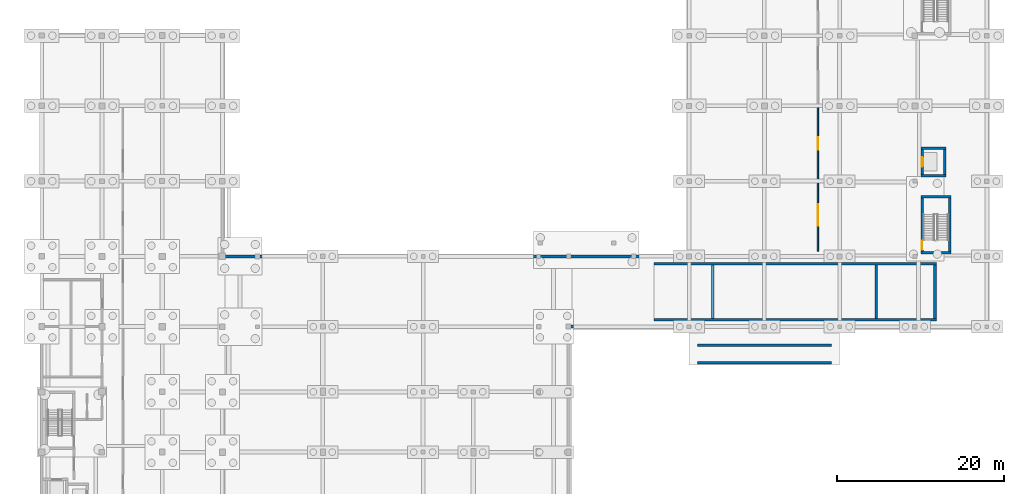
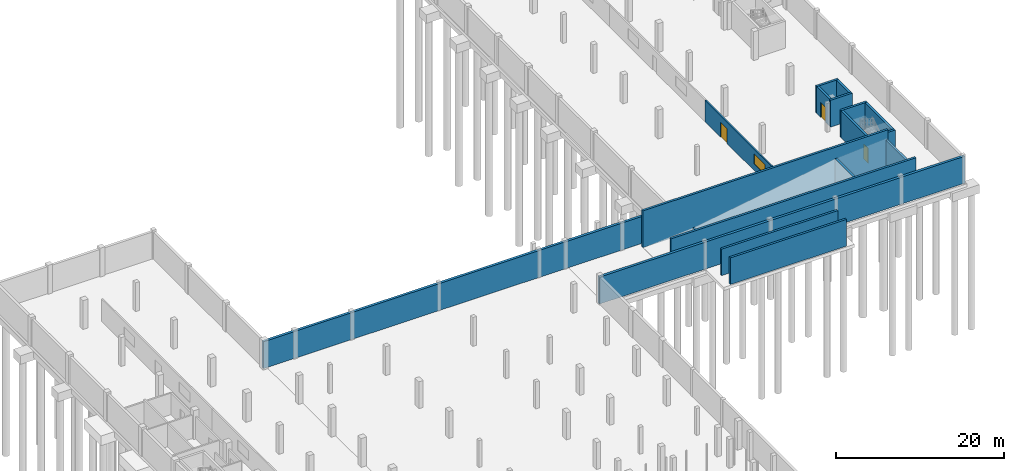
# One storey, part 27 of 34: 18 walls, 3 doors, 1 window, 4 openings.
"""IFC4 building model written with IfcOpenShell, lengths in metres."""

import ifcopenshell
import ifcopenshell.guid

model = None  # the IFC model being written
_history = None  # IfcOwnerHistory: only IFC2X3 demands one
_inside = {}  # id of a spatial element -> (the spatial element, [elements in it])
_under = {}  # id of a project, library or spatial element -> (it, [spatial elements below it])
_declared = {}  # id of a project -> (the project, [libraries it declares])
_typed = {}  # id of a type object -> (the type object, [elements of that type])
_made_of = {}  # id of a material, layer set ... -> (it, [elements and type objects made of it])


def new_model(schema):
    """Start an empty IFC model of exactly this schema.

    Asked for "IFC4X3", IfcOpenShell would pick the latest addendum, in which some entities
    have other attributes; the version numbers below select the first issue.
    IFC2X3 requires an IfcOwnerHistory on every rooted entity: one is made here for all.
    """
    global model, _history
    if schema == "IFC4X3":
        model = ifcopenshell.file(schema_version=(4, 3, 0, 0))
    else:
        model = ifcopenshell.file(schema=schema)
    _inside.clear()
    _under.clear()
    _declared.clear()
    _typed.clear()
    _made_of.clear()
    _history = None
    if model.schema == "IFC2X3":
        org = make("IfcOrganization", Name="unknown")
        user = make(
            "IfcPersonAndOrganization",
            ThePerson=make("IfcPerson", FamilyName="unknown"),
            TheOrganization=org,
        )
        app = make(
            "IfcApplication",
            ApplicationDeveloper=org,
            Version="unknown",
            ApplicationFullName="unknown",
            ApplicationIdentifier="unknown",
        )
        _history = make(
            "IfcOwnerHistory",
            OwningUser=user,
            OwningApplication=app,
            ChangeAction="ADDED",
            CreationDate=0,
        )
    return model


def make(cls, **values):
    """One entity of the class cls with the attributes given. An attribute that is None is left unset."""
    return model.create_entity(
        cls, **{name: value for name, value in values.items() if value is not None}
    )


def rooted(cls, **values):
    """An entity with a GlobalId (a new one), such as an element, a storey or a relation."""
    return make(cls, GlobalId=ifcopenshell.guid.new(), OwnerHistory=_history, **values)


def si_unit(unit_type, name, prefix=None):
    """IfcSIUnit, for example si_unit("LENGTHUNIT", "METRE", prefix="MILLI")."""
    return make("IfcSIUnit", UnitType=unit_type, Prefix=prefix, Name=name)


def assignment(units):
    """IfcUnitAssignment: the units of a project."""
    return None if units is None else make("IfcUnitAssignment", Units=units)


def point(xyz):
    """IfcCartesianPoint."""
    return None if xyz is None else make("IfcCartesianPoint", Coordinates=xyz)


def direction(xyz):
    """IfcDirection."""
    return None if xyz is None else make("IfcDirection", DirectionRatios=xyz)


def frame(location, z_axis=None, x_axis=None):
    """IfcAxis2Placement3D, a coordinate frame: its origin and axes. An axis left out is left unset."""
    return make(
        "IfcAxis2Placement3D",
        Location=point(location),
        Axis=direction(z_axis),
        RefDirection=direction(x_axis),
    )


def frame_2d(location, x_axis=None):
    """IfcAxis2Placement2D, a coordinate frame in the plane: its origin and x axis."""
    return make(
        "IfcAxis2Placement2D", Location=point(location), RefDirection=direction(x_axis)
    )


def origin():
    """The frame at (0, 0, 0) with its axes left unset."""
    return frame((0.0, 0.0, 0.0))


def place(relative_to, where):
    """IfcLocalPlacement: puts the frame where relative to a parent placement (None: the world)."""
    return make(
        "IfcLocalPlacement", PlacementRelTo=relative_to, RelativePlacement=where
    )


def context(
    kind, dimensions, precision=None, world=None, true_north=None, identifier=None
):
    """IfcGeometricRepresentationContext, for example the 3D "Model" context."""
    return make(
        "IfcGeometricRepresentationContext",
        ContextIdentifier=identifier,
        ContextType=kind,
        CoordinateSpaceDimension=dimensions,
        Precision=precision,
        WorldCoordinateSystem=world,
        TrueNorth=true_north,
    )


def subcontext(parent, identifier, kind, view, scale=None):
    """IfcGeometricRepresentationSubContext, for example "Body" below "Model"."""
    return make(
        "IfcGeometricRepresentationSubContext",
        ContextIdentifier=identifier,
        ContextType=kind,
        ParentContext=parent,
        TargetScale=scale,
        TargetView=view,
    )


def project(units=None, contexts=None):
    """IfcProject with its units and contexts."""
    return rooted(
        "IfcProject",
        Name="project",
        RepresentationContexts=contexts,
        UnitsInContext=assignment(units),
    )


def spatial(cls, under=None, at=None, **own):
    """A site, building, storey or space (cls), placed at a placement, below another one or the project."""
    s = rooted(cls, ObjectPlacement=at, **own)
    if under is not None:
        _under.setdefault(under.id(), (under, []))[1].append(s)
    return s


def profile(cls, at=None, kind="AREA", **sizes):
    """A parametric profile (cls). Its sizes go by their IFC names, for example OverallWidth=200.0."""
    return make(cls, ProfileType=kind, Position=at, **sizes)


def rectangle(**sizes):
    """IfcRectangleProfileDef."""
    return profile("IfcRectangleProfileDef", **sizes)


def extrude(swept, where, along, depth):
    """IfcExtrudedAreaSolid: the profile swept, set in the frame where, extruded along a direction by depth."""
    return make(
        "IfcExtrudedAreaSolid",
        SweptArea=swept,
        Position=where,
        ExtrudedDirection=direction(along),
        Depth=depth,
    )


def shape(context_of_items, identifier, shape_type, items):
    """IfcShapeRepresentation: the items that make up one representation, for example the "Body"."""
    return make(
        "IfcShapeRepresentation",
        ContextOfItems=context_of_items,
        RepresentationIdentifier=identifier,
        RepresentationType=shape_type,
        Items=items,
    )


def material(Name=None, Category=None):
    """IfcMaterial."""
    return make("IfcMaterial", Name=Name, Category=Category)


def layer(
    of_material, thickness, ventilated=None, Name=None, Category=None, Priority=None
):
    """IfcMaterialLayer: one layer of a wall or slab, of a material (None: an air gap)."""
    return make(
        "IfcMaterialLayer",
        Material=of_material,
        LayerThickness=thickness,
        IsVentilated=ventilated,
        Name=Name,
        Category=Category,
        Priority=Priority,
    )


def layer_set(layers, Name=None):
    """IfcMaterialLayerSet."""
    return make("IfcMaterialLayerSet", MaterialLayers=layers, LayerSetName=Name)


def made_of(thing, what):
    """Note that an element or type object is made of a material, layer set ...; save() writes the relation."""
    if what is not None:
        _made_of.setdefault(what.id(), (what, []))[1].append(thing)
    return thing


def type_object(cls, material=None, **own):
    """A type object (cls), such as IfcWallType, which elements share."""
    return made_of(rooted(cls, **own), material)


def element(
    cls,
    number,
    at=None,
    inside=None,
    cuts=None,
    type_object=None,
    material=None,
    context=None,
    identifier="Body",
    shape_type=None,
    held_by="IfcProductDefinitionShape",
    body=None,
    shapes=None,
    **own,
):
    """One element of the class cls, such as IfcWall. Its Tag is "e" and its number.

    at: its placement. inside: the storey or other place that contains it. cuts: it is an
    opening in that element (IfcRelVoidsElement). A single representation is given by context,
    identifier, shape_type and body (its items); several are given by shapes. held_by: the class
    of the entity that holds the representations. save() writes the other relations.
    """
    e = rooted(cls, Tag="e%d" % number, ObjectPlacement=at, **own)
    if body is not None:
        shapes = [shape(context, identifier, shape_type, body)]
    if shapes is not None:
        e.Representation = make(held_by, Representations=shapes)
    if inside is not None:
        _inside.setdefault(inside.id(), (inside, []))[1].append(e)
    if cuts is not None:
        rooted(
            "IfcRelVoidsElement", RelatingBuildingElement=cuts, RelatedOpeningElement=e
        )
    if type_object is not None:
        _typed.setdefault(type_object.id(), (type_object, []))[1].append(e)
    return made_of(e, material)


def fill(opening, filler):
    """IfcRelFillsElement: the door or window that sits in an opening."""
    return rooted(
        "IfcRelFillsElement",
        RelatingOpeningElement=opening,
        RelatedBuildingElement=filler,
    )


def aggregate(whole, parts):
    """IfcRelAggregates: a whole, such as a stair, and the parts it consists of."""
    return rooted("IfcRelAggregates", RelatingObject=whole, RelatedObjects=parts)


def save(model, path):
    """Write the relations noted so far, then the file.

    IfcRelAggregates (storeys below a building ...), IfcRelContainedInSpatialStructure (elements
    in a storey), IfcRelDefinesByType, IfcRelAssociatesMaterial and IfcRelDeclares: one each for
    every whole, place, type object, material and project.
    """
    for whole, parts in _under.values():
        aggregate(whole, parts)
    for where, things in _inside.values():
        rooted(
            "IfcRelContainedInSpatialStructure",
            RelatedElements=things,
            RelatingStructure=where,
        )
    for kind, things in _typed.values():
        rooted("IfcRelDefinesByType", RelatedObjects=things, RelatingType=kind)
    for what, things in _made_of.values():
        rooted("IfcRelAssociatesMaterial", RelatedObjects=things, RelatingMaterial=what)
    for by, libraries in _declared.values():
        rooted("IfcRelDeclares", RelatingContext=by, RelatedDefinitions=libraries)
    model.write(path)


model = new_model("IFC4")

# Units and contexts
model_context = context("Model", 3, precision=1e-05, world=origin(), true_north=direction((0.0, 1.0)))
body_context = subcontext(model_context, "Body", "Model", "MODEL_VIEW")
ifc_project = project(units=[si_unit("LENGTHUNIT", "METRE"), si_unit("AREAUNIT", "SQUARE_METRE"), si_unit("VOLUMEUNIT", "CUBIC_METRE"), si_unit("PLANEANGLEUNIT", "RADIAN"), si_unit("MASSUNIT", "GRAM", prefix="KILO")], contexts=[model_context])

# Site, building, storey
site_placement = place(None, origin())
site = spatial("IfcSite", under=ifc_project, at=site_placement, CompositionType="ELEMENT")
building_placement = place(site_placement, origin())
building = spatial("IfcBuilding", under=site, at=building_placement, Name="Vinh Khe Railworks Police Headquarters", CompositionType="ELEMENT")
storey_placement = place(building_placement, frame((0.0, 0.0, -4.199951171875)))
storey = spatial("IfcBuildingStorey", under=building, at=storey_placement, Name="B1", CompositionType="ELEMENT", Elevation=-4.199951171875)

# Walls
ifc_material_1 = material(Name="Concrete C40/50 (B40)", Category="concrete")
ifc_layer_1 = layer(ifc_material_1, 0.35009765625)
ifc_layer_set_1 = layer_set([ifc_layer_1], Name="Concrete C40/50 (B40)")
wall_type_1 = type_object("IfcWallType", Name="Basement Retaining Wall 350", PredefinedType="USERDEFINED", material=ifc_layer_set_1)
wall_1_placement = place(storey_placement, frame((63.425048828125, 96.0, 0.0), z_axis=(0.0, 0.0, 1.0), x_axis=(1.0, 0.0, 0.0)))
element("IfcWall", 1, at=wall_1_placement, inside=storey, type_object=wall_type_1, Name="Basement Retaining Wall 3", ObjectType="RETAININGWALL", PredefinedType="USERDEFINED", context=body_context, shape_type="SweptSolid", body=[
    extrude(rectangle(XDim=50.349853515625, YDim=0.35009765625, at=frame_2d((25.1748046875, 0.0))), origin(), (0.0, 0.0, 1.0), 3.919921875),
])
wall_2_placement = place(storey_placement, frame((78.175048828125, 104.39990234375, 0.0), z_axis=(0.0, 0.0, 1.0), x_axis=(-1.0, 0.0, 0.0)))
element("IfcWall", 2, at=wall_2_placement, inside=storey, type_object=wall_type_1, Name="Basement Retaining Wall 7", ObjectType="RETAININGWALL", PredefinedType="USERDEFINED", context=body_context, shape_type="SweptSolid", body=[
    extrude(rectangle(XDim=56.150146484375, YDim=0.35009765625, at=frame_2d((28.0751953125, 0.0))), origin(), (0.0, 0.0, 1.0), 3.919921875),
])
ifc_layer_2 = layer(ifc_material_1, 0.300048828125)
ifc_layer_set_2 = layer_set([ifc_layer_2], Name="Concrete C40/50 (B40)")
wall_type_2 = type_object("IfcWallType", Name="Core Shear Wall 300", PredefinedType="SHEAR", material=ifc_layer_set_2)
for number, where, z_axis, x_axis, name in (
    (3, (105.699951171875, 104.85009765625, 0.0), (0.0, 0.0, 1.0), (1.0, 0.0, 0.0), "Core C4 STAIR-S Shear Wall (B1)"),
    (4, (105.699951171875, 111.550048828125, 0.0), (0.0, 0.0, 1.0), (1.0, 0.0, 0.0), "Core C4 STAIR-N Shear Wall (B1)"),
):
    element("IfcWall", number, at=place(storey_placement, frame(where, z_axis=z_axis, x_axis=x_axis)), inside=storey, type_object=wall_type_2, Name=name, PredefinedType="SHEAR", context=body_context, shape_type="SweptSolid", body=[
        extrude(rectangle(XDim=3.60009765625, YDim=0.300048828125, at=frame_2d((1.800048828125, 0.0))), origin(), (0.0, 0.0, 1.0), 3.919921875),
    ])

# Wall, opening, door
wall_3_placement = place(storey_placement, frame((105.85009765625, 105.0, 0.0), z_axis=(0.0, 0.0, 1.0), x_axis=(0.0, 1.0, 0.0)))
wall_3 = element("IfcWall", 5, at=wall_3_placement, inside=storey, type_object=wall_type_2, Name="Core C4 STAIR-W Shear Wall (B1)", PredefinedType="SHEAR", context=body_context, shape_type="SweptSolid", body=[
    extrude(rectangle(XDim=6.39990234375, YDim=0.300048828125, at=frame_2d((3.199951171875, 0.0))), origin(), (0.0, 0.0, 1.0), 3.919921875),
])
opening_1_placement = place(wall_3_placement, frame((0.169921875, 0.0, 0.0)))
opening_1 = element("IfcOpeningElement", 6, at=opening_1_placement, cuts=wall_3, Name="Opening FD-01", PredefinedType="OPENING", context=body_context, shape_type="SweptSolid", body=[
    extrude(rectangle(XDim=1.10009765625, YDim=2.14990234375, at=frame_2d((0.550048828125, 1.074951171875))), frame((0.0, 0.1650390625, 0.0), z_axis=(0.0, -1.0, 0.0), x_axis=(1.0, 0.0, 0.0)), (0.0, 0.0, 1.0), 0.329833984375),
])
ifc_material_2 = material(Name="Painted galvanised steel", Category="steel")
door_type_1 = type_object("IfcDoorType", Name="FD-1100x2150", OperationType="NOTDEFINED", PredefinedType="DOOR", material=ifc_material_2)
door_1_placement = place(opening_1_placement, origin())
door_1 = element("IfcDoor", 7, at=door_1_placement, inside=storey, type_object=door_type_1, Name="Escape Stair ST-04 Fire Door B1", OperationType="SINGLE_SWING_LEFT", OverallHeight=2.14990234375, OverallWidth=1.10009765625, PredefinedType="DOOR", context=body_context, shape_type="SweptSolid", body=[
    extrude(rectangle(XDim=1.10009765625, YDim=2.14990234375, at=frame_2d((0.550048828125, 1.074951171875))), frame((0.0, 0.02490234375, 0.0), z_axis=(0.0, -1.0, 0.0), x_axis=(1.0, 0.0, 0.0)), (0.0, 0.0, 1.0), 0.050048828125),
])
fill(opening_1, door_1)

# Walls
wall_4_placement = place(storey_placement, frame((109.14990234375, 105.0, 0.0), z_axis=(0.0, 0.0, 1.0), x_axis=(0.0, 1.0, 0.0)))
element("IfcWall", 8, at=wall_4_placement, inside=storey, type_object=wall_type_2, Name="Core C4 STAIR-E Shear Wall (B1)", PredefinedType="SHEAR", context=body_context, shape_type="SweptSolid", body=[
    extrude(rectangle(XDim=6.39990234375, YDim=0.300048828125, at=frame_2d((3.199951171875, 0.0))), origin(), (0.0, 0.0, 1.0), 3.919921875),
])
for number, where, z_axis, x_axis, name in (
    (9, (105.699951171875, 114.050048828125, 0.0), (0.0, 0.0, 1.0), (1.0, 0.0, 0.0), "Core C4 PL-S Lift Shaft Wall (B1)"),
    (10, (105.699951171875, 117.35009765625, 0.0), (0.0, 0.0, 1.0), (1.0, 0.0, 0.0), "Core C4 PL-N Lift Shaft Wall (B1)"),
):
    element("IfcWall", number, at=place(storey_placement, frame(where, z_axis=z_axis, x_axis=x_axis)), inside=storey, type_object=wall_type_2, Name=name, PredefinedType="SHEAR", context=body_context, shape_type="SweptSolid", body=[
        extrude(rectangle(XDim=3.0, YDim=0.300048828125, at=frame_2d((1.5, 0.0))), origin(), (0.0, 0.0, 1.0), 3.919921875),
    ])

# Wall, opening, door
wall_5_placement = place(storey_placement, frame((105.85009765625, 114.199951171875, 0.0), z_axis=(0.0, 0.0, 1.0), x_axis=(0.0, 1.0, 0.0)))
wall_5 = element("IfcWall", 11, at=wall_5_placement, inside=storey, type_object=wall_type_2, Name="Core C4 PL-W Lift Shaft Wall (B1)", PredefinedType="SHEAR", context=body_context, shape_type="SweptSolid", body=[
    extrude(rectangle(XDim=3.0, YDim=0.300048828125, at=frame_2d((1.5, 0.0))), origin(), (0.0, 0.0, 1.0), 3.919921875),
])
opening_2_placement = place(wall_5_placement, frame((0.925048828125, 0.0, 0.0)))
opening_2 = element("IfcOpeningElement", 12, at=opening_2_placement, cuts=wall_5, Name="Opening LD-03", PredefinedType="OPENING", context=body_context, shape_type="SweptSolid", body=[
    extrude(rectangle(XDim=1.14990234375, YDim=2.14990234375, at=frame_2d((0.574951171875, 1.074951171875))), frame((0.0, 0.1650390625, 0.0), z_axis=(0.0, -1.0, 0.0), x_axis=(1.0, 0.0, 0.0)), (0.0, 0.0, 1.0), 0.329833984375),
])
door_type_2 = type_object("IfcDoorType", Name="LD-CUST-1150", OperationType="SLIDING_TO_LEFT", PredefinedType="DOOR", material=ifc_material_2)
door_2_placement = place(opening_2_placement, origin())
door_2 = element("IfcDoor", 13, at=door_2_placement, inside=storey, type_object=door_type_2, Name="Lift Landing Door CL-01 B1", OperationType="SLIDING_TO_LEFT", OverallHeight=2.14990234375, OverallWidth=1.14990234375, PredefinedType="DOOR", context=body_context, shape_type="SweptSolid", body=[
    extrude(rectangle(XDim=1.14990234375, YDim=2.14990234375, at=frame_2d((0.574951171875, 1.074951171875))), frame((0.0, 0.02490234375, 0.0), z_axis=(0.0, -1.0, 0.0), x_axis=(1.0, 0.0, 0.0)), (0.0, 0.0, 1.0), 0.050048828125),
])
fill(opening_2, door_2)

# Wall
wall_6_placement = place(storey_placement, frame((108.550048828125, 114.199951171875, 0.0), z_axis=(0.0, 0.0, 1.0), x_axis=(0.0, 1.0, 0.0)))
element("IfcWall", 14, at=wall_6_placement, inside=storey, type_object=wall_type_2, Name="Core C4 PL-E Lift Shaft Wall (B1)", PredefinedType="SHEAR", context=body_context, shape_type="SweptSolid", body=[
    extrude(rectangle(XDim=3.0, YDim=0.300048828125, at=frame_2d((1.5, 0.0))), origin(), (0.0, 0.0, 1.0), 3.919921875),
])

# Wall, openings, door, window
ifc_material_3 = material(Name="Autoclaved aerated concrete blockwork", Category="masonry")
ifc_layer_3 = layer(ifc_material_3, 0.199951171875)
ifc_layer_set_3 = layer_set([ifc_layer_3], Name="Autoclaved aerated concrete blockwork")
wall_type_3 = type_object("IfcWallType", Name="IW-BLK-200", PredefinedType="PARTITIONING", material=ifc_layer_set_3)
wall_7_placement = place(storey_placement, frame((93.39990234375, 105.0, 0.0), z_axis=(0.0, 0.0, 1.0), x_axis=(0.0, 1.0, 0.0)))
wall_7 = element("IfcWall", 15, at=wall_7_placement, inside=storey, type_object=wall_type_3, Name="Interior Partition W-B1-DRGS", PredefinedType="PARTITIONING", context=body_context, shape_type="SweptSolid", body=[
    extrude(rectangle(XDim=17.39990234375, YDim=0.199951171875, at=frame_2d((8.699951171875, 0.0))), origin(), (0.0, 0.0, 1.0), 3.114990234375),
])
opening_3_placement = place(wall_7_placement, frame((12.14990234375, 0.0, 0.0)))
opening_3 = element("IfcOpeningElement", 16, at=opening_3_placement, cuts=wall_7, Name="Opening FD-02", PredefinedType="OPENING", context=body_context, shape_type="SweptSolid", body=[
    extrude(rectangle(XDim=1.5, YDim=2.14990234375, at=frame_2d((0.75, 1.074951171875))), frame((0.0, 0.11474609375, 0.0), z_axis=(0.0, -1.0, 0.0), x_axis=(1.0, 0.0, 0.0)), (0.0, 0.0, 1.0), 0.229736328125),
])
opening_4_placement = place(wall_7_placement, frame((3.050048828125, 0.0, 0.949951171875)))
opening_4 = element("IfcOpeningElement", 17, at=opening_4_placement, cuts=wall_7, Name="Opening WN-07", PredefinedType="OPENING", context=body_context, shape_type="SweptSolid", body=[
    extrude(rectangle(XDim=2.60009765625, YDim=1.5, at=frame_2d((1.300048828125, 0.75))), frame((0.0, 0.11474609375, 0.0), z_axis=(0.0, -1.0, 0.0), x_axis=(1.0, 0.0, 0.0)), (0.0, 0.0, 1.0), 0.229736328125),
])
door_type_3 = type_object("IfcDoorType", Name="FD-1500x2150", OperationType="DOUBLE_DOOR_SINGLE_SWING", PredefinedType="DOOR", material=ifc_material_2)
door_3_placement = place(opening_3_placement, origin())
door_3 = element("IfcDoor", 18, at=door_3_placement, inside=storey, type_object=door_type_3, Name="Disaster Response Gear Store Door", OperationType="DOUBLE_DOOR_SINGLE_SWING", OverallHeight=2.14990234375, OverallWidth=1.5, PredefinedType="DOOR", context=body_context, shape_type="SweptSolid", body=[
    extrude(rectangle(XDim=1.5, YDim=2.14990234375, at=frame_2d((0.75, 1.074951171875))), frame((0.0, 0.02490234375, 0.0), z_axis=(0.0, -1.0, 0.0), x_axis=(1.0, 0.0, 0.0)), (0.0, 0.0, 1.0), 0.050048828125),
])
fill(opening_3, door_3)
ifc_material_4 = material(Name="Double-glazed solar-control glass in dark steel frame", Category="steel")
window_type = type_object("IfcWindowType", Name="WIN-WN-07", PartitioningType="DOUBLE_PANEL_HORIZONTAL", PredefinedType="WINDOW", material=ifc_material_4)
window_placement = place(opening_4_placement, origin())
window = element("IfcWindow", 19, at=window_placement, inside=storey, type_object=window_type, Name="Interior Acoustic Vision Window WN-07", OverallHeight=1.5, OverallWidth=2.60009765625, PartitioningType="SINGLE_PANEL", PredefinedType="WINDOW", context=body_context, shape_type="SweptSolid", body=[
    extrude(rectangle(XDim=2.60009765625, YDim=1.5, at=frame_2d((1.300048828125, 0.75))), frame((0.0, 0.030029296875, 0.0), z_axis=(0.0, -1.0, 0.0), x_axis=(1.0, 0.0, 0.0)), (0.0, 0.0, 1.0), 0.06005859375),
])
fill(opening_4, window)

# Walls
ifc_layer_4 = layer(ifc_material_1, 0.300048828125)
ifc_layer_set_4 = layer_set([ifc_layer_4], Name="Concrete C40/50 (B40)")
wall_type_4 = type_object("IfcWallType", Name="Ramp Retaining Wall 300", PredefinedType="USERDEFINED", material=ifc_layer_set_4)
for number, where, z_axis, x_axis, name in (
    (20, (73.800048828125, 96.85009765625, 0.0), (0.0, 0.0, 1.0), (1.0, 0.0, 0.0), "Vehicle Ramp Support Wall 1"),
    (21, (73.800048828125, 103.550048828125, 0.0), (0.0, 0.0, 1.0), (1.0, 0.0, 0.0), "Vehicle Ramp Support Wall 2"),
):
    element("IfcWall", number, at=place(storey_placement, frame(where, z_axis=z_axis, x_axis=x_axis)), inside=storey, type_object=wall_type_4, Name=name, ObjectType="RETAININGWALL", PredefinedType="USERDEFINED", context=body_context, shape_type="SweptSolid", body=[
        extrude(rectangle(XDim=33.75, YDim=0.300048828125, at=frame_2d((16.875, 0.0))), origin(), (0.0, 0.0, 1.0), 5.349853515625),
    ])
wall_8_placement = place(storey_placement, frame((80.800048828125, 97.0, 0.0), z_axis=(0.0, 0.0, 1.0), x_axis=(0.0, 1.0, 0.0)))
element("IfcWall", 22, at=wall_8_placement, inside=storey, type_object=wall_type_4, Name="Vehicle Ramp Bearing Pier 1", ObjectType="RETAININGWALL", PredefinedType="USERDEFINED", context=body_context, shape_type="SweptSolid", body=[
    extrude(rectangle(XDim=6.39990234375, YDim=0.300048828125, at=frame_2d((3.199951171875, 0.0))), origin(), (0.0, 0.0, 1.0), 0.5),
])
wall_9_placement = place(storey_placement, frame((100.39990234375, 97.0, 0.0), z_axis=(0.0, 0.0, 1.0), x_axis=(0.0, 1.0, 0.0)))
element("IfcWall", 23, at=wall_9_placement, inside=storey, type_object=wall_type_4, Name="Vehicle Ramp Bearing Pier 2", ObjectType="RETAININGWALL", PredefinedType="USERDEFINED", context=body_context, shape_type="SweptSolid", body=[
    extrude(rectangle(XDim=6.39990234375, YDim=0.300048828125, at=frame_2d((3.199951171875, 0.0))), origin(), (0.0, 0.0, 1.0), 3.699951171875),
])
wall_10_placement = place(storey_placement, frame((107.39990234375, 97.0, 0.0), z_axis=(0.0, 0.0, 1.0), x_axis=(0.0, 1.0, 0.0)))
element("IfcWall", 24, at=wall_10_placement, inside=storey, type_object=wall_type_4, Name="Vehicle Ramp Bearing Pier 3", ObjectType="RETAININGWALL", PredefinedType="USERDEFINED", context=body_context, shape_type="SweptSolid", body=[
    extrude(rectangle(XDim=6.39990234375, YDim=0.300048828125, at=frame_2d((3.199951171875, 0.0))), origin(), (0.0, 0.0, 1.0), 3.919921875),
])
for number, where, z_axis, x_axis, name in (
    (25, (79.0, 91.699951171875, 0.0), (0.0, 0.0, 1.0), (1.0, 0.0, 0.0), "Court Plinth Support Wall 1"),
    (26, (79.0, 93.800048828125, 0.0), (0.0, 0.0, 1.0), (1.0, 0.0, 0.0), "Court Plinth Support Wall 2"),
):
    element("IfcWall", number, at=place(storey_placement, frame(where, z_axis=z_axis, x_axis=x_axis)), inside=storey, type_object=wall_type_4, Name=name, ObjectType="RETAININGWALL", PredefinedType="USERDEFINED", context=body_context, shape_type="SweptSolid", body=[
        extrude(rectangle(XDim=16.0, YDim=0.300048828125, at=frame_2d((8.0, 0.0))), origin(), (0.0, 0.0, 1.0), 3.8798828125),
    ])

save(model, "model.ifc")
